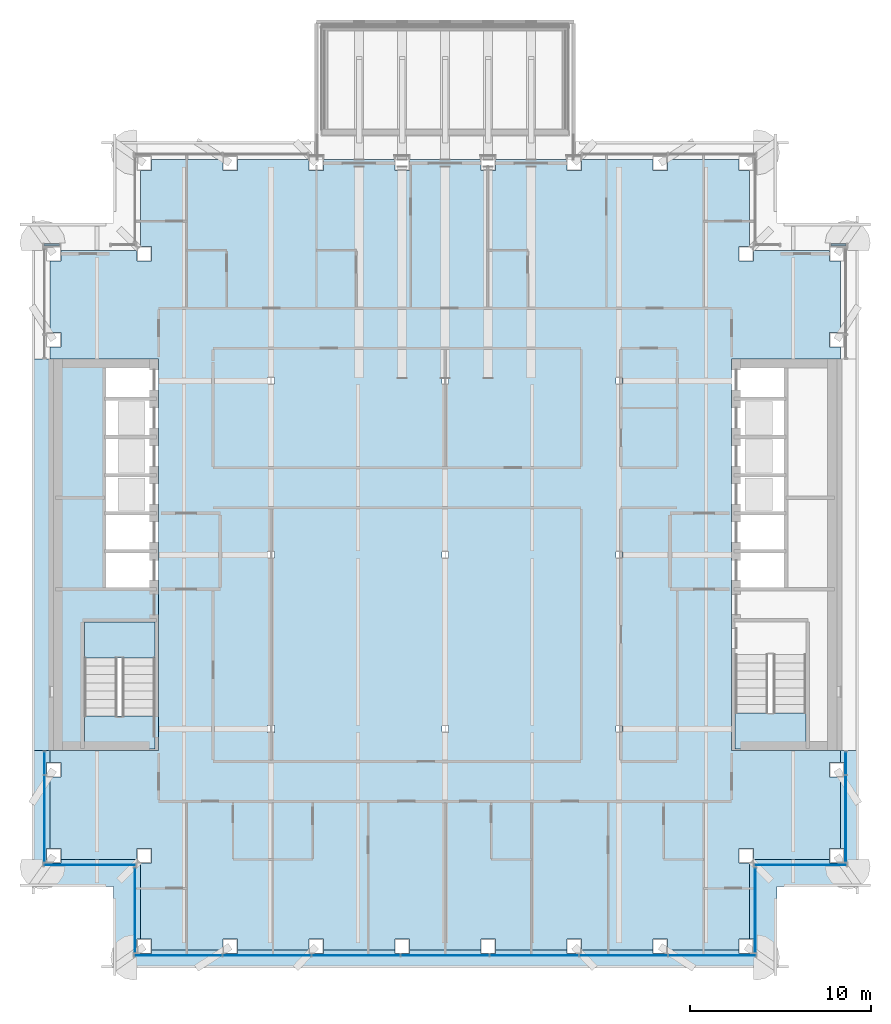
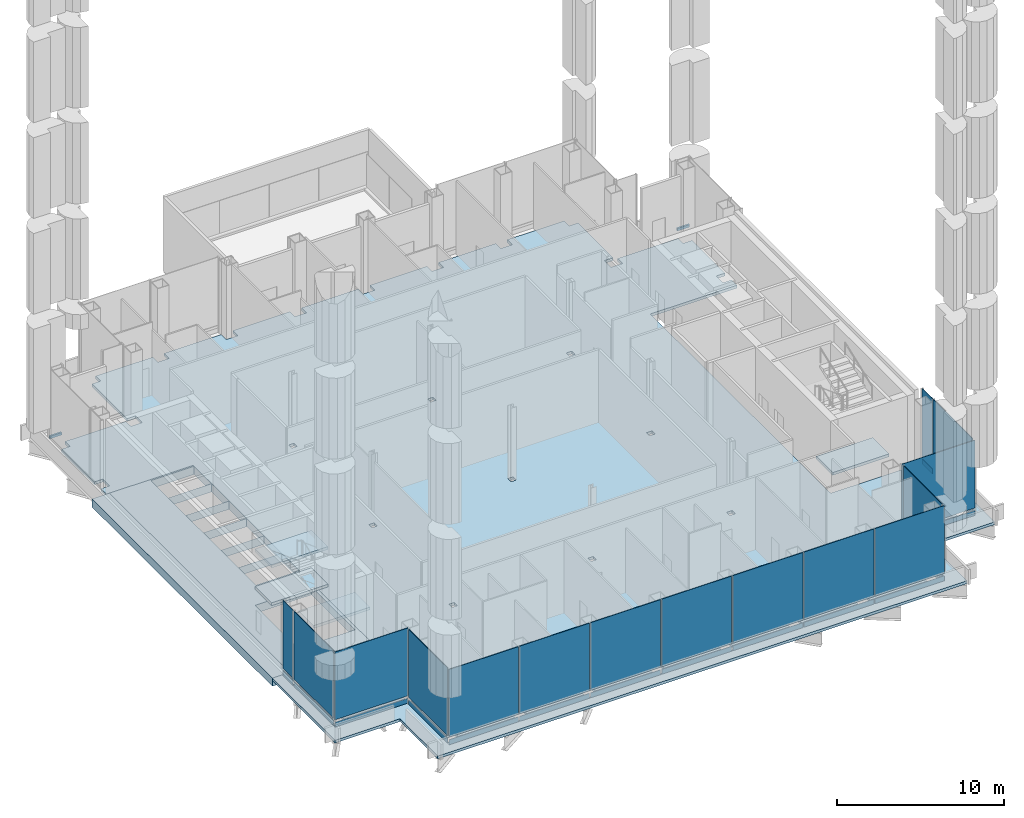
# One storey, part 7 of 22: 30 plates, 8 slabs, 2 members, 11 elements without a shape of their own.
"""IFC4 building model written with IfcOpenShell, lengths in metres."""

from ifc_helpers import new_model, si_unit, direction, frame, origin, origin_2d, place, context, subcontext, project, spatial, polyline, rectangle, outline, extrude, material, layer, layer_set, material_profile, profile_set, type_object, element, aggregate, save


model = new_model("IFC4")

# Units and contexts
model_context = context("Model", 3, precision=1e-05, world=origin(), true_north=direction((0.0, 1.0)))
body_context = subcontext(model_context, "Body", "Model", "MODEL_VIEW")
ifc_project = project(units=[si_unit("LENGTHUNIT", "METRE"), si_unit("AREAUNIT", "SQUARE_METRE"), si_unit("VOLUMEUNIT", "CUBIC_METRE"), si_unit("PLANEANGLEUNIT", "RADIAN"), si_unit("MASSUNIT", "GRAM", prefix="KILO")], contexts=[model_context])

# Site, building, storey
site_placement = place(None, origin())
site = spatial("IfcSite", under=ifc_project, at=site_placement, CompositionType="ELEMENT")
building_placement = place(site_placement, origin())
building = spatial("IfcBuilding", under=site, at=building_placement, Name="Cobrizo Arcos Hotel Tower", CompositionType="ELEMENT")
storey_placement = place(building_placement, frame((0.0, 0.0, 142.5)))
storey = spatial("IfcBuildingStorey", under=building, at=storey_placement, Name="L36", CompositionType="ELEMENT", Elevation=142.5)

# Curtain wall, member
ifc_material_1 = material(Name="Aluminium 6063-T6 anodised bronze", Category="aluminium")
curtain_wall_type = type_object("IfcCurtainWallType", Name="CW-E sky lobby glazing", PredefinedType="NOTDEFINED", material=ifc_material_1)
curtain_wall_1_placement = place(storey_placement, origin())
curtain_wall_1 = element("IfcCurtainWall", 1, at=curtain_wall_1_placement, inside=storey, type_object=curtain_wall_type, Name="CW-E L36 N face", PredefinedType="NOTDEFINED")
ifc_material_profile = material_profile(ifc_material_1, rectangle(XDim=0.1201171875, YDim=0.179931640625, at=origin_2d()), Name="CW-E transom 180x120")
ifc_profile_set = profile_set([ifc_material_profile], Name="Aluminium 6063-T6 anodised bronze")
member_type = type_object("IfcMemberType", Name="CW-E transom 180x120", PredefinedType="USERDEFINED", material=ifc_profile_set)
member_1_placement = place(storey_placement, frame((22.1201171875, 17.10009765625, 0.449951171875), z_axis=(-1.0, 0.0, 0.0), x_axis=(0.0, -1.0, 0.0)))
member_1 = element("IfcMember", 2, at=member_1_placement, type_object=member_type, Name="CW-E transom 1320", ObjectType="TRANSOM", PredefinedType="USERDEFINED", context=body_context, shape_type="SweptSolid", body=[
    extrude(rectangle(XDim=0.1201171875, YDim=0.179931640625, at=origin_2d()), origin(), (0.0, 0.0, 1.0), 0.840087890625),
])
aggregate(curtain_wall_1, [member_1])

curtain_wall_2_placement = place(storey_placement, origin())
curtain_wall_2 = element("IfcCurtainWall", 3, at=curtain_wall_2_placement, inside=storey, type_object=curtain_wall_type, Name="CW-E L36 N face", PredefinedType="NOTDEFINED")
member_2_placement = place(storey_placement, frame((-21.280029296875, 17.10009765625, 0.449951171875), z_axis=(-1.0, 0.0, 0.0), x_axis=(0.0, -1.0, 0.0)))
member_2 = element("IfcMember", 4, at=member_2_placement, type_object=member_type, Name="CW-E transom 1329", ObjectType="TRANSOM", PredefinedType="USERDEFINED", context=body_context, shape_type="SweptSolid", body=[
    extrude(rectangle(XDim=0.1201171875, YDim=0.179931640625, at=origin_2d()), origin(), (0.0, 0.0, 1.0), 0.840087890625),
])
aggregate(curtain_wall_2, [member_2])

# Curtain wall, plates
curtain_wall_3_placement = place(storey_placement, origin())
curtain_wall_3 = element("IfcCurtainWall", 5, at=curtain_wall_3_placement, inside=storey, type_object=curtain_wall_type, Name="CW-E L36 S face", PredefinedType="NOTDEFINED")
ifc_material_2 = material(Name="Glass clear laminated low-e", Category="glass")
ifc_layer_1 = layer(ifc_material_2, 0.050048828125)
ifc_layer_set_1 = layer_set([ifc_layer_1], Name="CW-E glass panel")
plate_type_1 = type_object("IfcPlateType", Name="CW-E glass panel", PredefinedType="CURTAIN_PANEL", material=ifc_layer_set_1)
plate_1_placement = place(storey_placement, frame((-14.722900390625, -22.10009765625, 0.5400390625), z_axis=(0.0, 0.0, 1.0), x_axis=(1.0, 0.0, 0.0)))
plate_1 = element("IfcPlate", 6, at=plate_1_placement, type_object=plate_type_1, Name="CW-E glass panel 1307", PredefinedType="CURTAIN_PANEL", context=body_context, shape_type="SweptSolid", body=[
    extrude(rectangle(XDim=4.794189453125, YDim=0.0400390625, at=origin_2d()), origin(), (0.0, 0.0, 1.0), 4.9599609375),
])
plate_2_placement = place(storey_placement, frame((-9.82861328125, -22.10009765625, 0.5400390625), z_axis=(0.0, 0.0, 1.0), x_axis=(1.0, 0.0, 0.0)))
plate_2 = element("IfcPlate", 7, at=plate_2_placement, type_object=plate_type_1, Name="CW-E glass panel 1308", PredefinedType="CURTAIN_PANEL", context=body_context, shape_type="SweptSolid", body=[
    extrude(rectangle(XDim=4.834228515625, YDim=0.0400390625, at=origin_2d()), origin(), (0.0, 0.0, 1.0), 4.9599609375),
])
plate_3_placement = place(storey_placement, frame((-4.914306640625, -22.10009765625, 0.5400390625), z_axis=(0.0, 0.0, 1.0), x_axis=(1.0, 0.0, 0.0)))
plate_3 = element("IfcPlate", 8, at=plate_3_placement, type_object=plate_type_1, Name="CW-E glass panel 1309", PredefinedType="CURTAIN_PANEL", context=body_context, shape_type="SweptSolid", body=[
    extrude(rectangle(XDim=4.834228515625, YDim=0.0400390625, at=origin_2d()), origin(), (0.0, 0.0, 1.0), 4.9599609375),
])
plate_4_placement = place(storey_placement, frame((0.0, -22.10009765625, 0.5400390625), z_axis=(0.0, 0.0, 1.0), x_axis=(1.0, 0.0, 0.0)))
plate_4 = element("IfcPlate", 9, at=plate_4_placement, type_object=plate_type_1, Name="CW-E glass panel 1310", PredefinedType="CURTAIN_PANEL", context=body_context, shape_type="SweptSolid", body=[
    extrude(rectangle(XDim=4.834228515625, YDim=0.0400390625, at=origin_2d()), origin(), (0.0, 0.0, 1.0), 4.9599609375),
])
plate_5_placement = place(storey_placement, frame((4.914306640625, -22.10009765625, 0.5400390625), z_axis=(0.0, 0.0, 1.0), x_axis=(1.0, 0.0, 0.0)))
plate_5 = element("IfcPlate", 10, at=plate_5_placement, type_object=plate_type_1, Name="CW-E glass panel 1311", PredefinedType="CURTAIN_PANEL", context=body_context, shape_type="SweptSolid", body=[
    extrude(rectangle(XDim=4.834228515625, YDim=0.0400390625, at=origin_2d()), origin(), (0.0, 0.0, 1.0), 4.9599609375),
])
plate_6_placement = place(storey_placement, frame((9.82861328125, -22.10009765625, 0.5400390625), z_axis=(0.0, 0.0, 1.0), x_axis=(1.0, 0.0, 0.0)))
plate_6 = element("IfcPlate", 11, at=plate_6_placement, type_object=plate_type_1, Name="CW-E glass panel 1312", PredefinedType="CURTAIN_PANEL", context=body_context, shape_type="SweptSolid", body=[
    extrude(rectangle(XDim=4.834228515625, YDim=0.0400390625, at=origin_2d()), origin(), (0.0, 0.0, 1.0), 4.9599609375),
])
plate_7_placement = place(storey_placement, frame((14.722900390625, -22.10009765625, 0.5400390625), z_axis=(0.0, 0.0, 1.0), x_axis=(1.0, 0.0, 0.0)))
plate_7 = element("IfcPlate", 12, at=plate_7_placement, type_object=plate_type_1, Name="CW-E glass panel 1313", PredefinedType="CURTAIN_PANEL", context=body_context, shape_type="SweptSolid", body=[
    extrude(rectangle(XDim=4.794189453125, YDim=0.0400390625, at=origin_2d()), origin(), (0.0, 0.0, 1.0), 4.9599609375),
])

# Curtain wall, plate
curtain_wall_4_placement = place(storey_placement, origin())
curtain_wall_4 = element("IfcCurtainWall", 13, at=curtain_wall_4_placement, inside=storey, type_object=curtain_wall_type, Name="CW-E L36 E face", PredefinedType="NOTDEFINED")
plate_8_placement = place(storey_placement, frame((17.10009765625, -19.60009765625, 0.5400390625), z_axis=(0.0, 0.0, 1.0), x_axis=(0.0, 1.0, 0.0)))
plate_8 = element("IfcPlate", 14, at=plate_8_placement, type_object=plate_type_1, Name="CW-E glass panel 1314", PredefinedType="CURTAIN_PANEL", context=body_context, shape_type="SweptSolid", body=[
    extrude(rectangle(XDim=4.639892578125, YDim=0.0400390625, at=origin_2d()), origin(), (0.0, 0.0, 1.0), 4.9599609375),
])

curtain_wall_5_placement = place(storey_placement, origin())
curtain_wall_5 = element("IfcCurtainWall", 15, at=curtain_wall_5_placement, inside=storey, type_object=curtain_wall_type, Name="CW-E L36 S face", PredefinedType="NOTDEFINED")
plate_9_placement = place(storey_placement, frame((19.60009765625, -17.10009765625, 0.5400390625), z_axis=(0.0, 0.0, 1.0), x_axis=(1.0, 0.0, 0.0)))
plate_9 = element("IfcPlate", 16, at=plate_9_placement, type_object=plate_type_1, Name="CW-E glass panel 1315", PredefinedType="CURTAIN_PANEL", context=body_context, shape_type="SweptSolid", body=[
    extrude(rectangle(XDim=5.0400390625, YDim=0.0400390625, at=origin_2d()), origin(), (0.0, 0.0, 1.0), 4.9599609375),
])

# Curtain wall, plates
curtain_wall_6_placement = place(storey_placement, origin())
curtain_wall_6 = element("IfcCurtainWall", 17, at=curtain_wall_6_placement, inside=storey, type_object=curtain_wall_type, Name="CW-E L36 E face", PredefinedType="NOTDEFINED")
plate_10_placement = place(storey_placement, frame((22.10009765625, -14.551513671875, 0.5400390625), z_axis=(0.0, 0.0, 1.0), x_axis=(0.0, 1.0, 0.0)))
plate_10 = element("IfcPlate", 18, at=plate_10_placement, type_object=plate_type_1, Name="CW-E glass panel 1316", PredefinedType="CURTAIN_PANEL", context=body_context, shape_type="SweptSolid", body=[
    extrude(rectangle(XDim=4.737060546875, YDim=0.0400390625, at=origin_2d()), origin(), (0.0, 0.0, 1.0), 4.9599609375),
])
plate_11_placement = place(storey_placement, frame((22.10009765625, -11.491455078125, 0.5400390625), z_axis=(0.0, 0.0, 1.0), x_axis=(0.0, 1.0, 0.0)))
plate_11 = element("IfcPlate", 19, at=plate_11_placement, type_object=plate_type_1, Name="CW-E glass panel 1317", PredefinedType="CURTAIN_PANEL", context=body_context, shape_type="SweptSolid", body=[
    extrude(rectangle(XDim=1.222900390625, YDim=0.0400390625, at=origin_2d()), origin(), (0.0, 0.0, 1.0), 4.9599609375),
])

curtain_wall_7_placement = place(storey_placement, origin())
curtain_wall_7 = element("IfcCurtainWall", 20, at=curtain_wall_7_placement, inside=storey, type_object=curtain_wall_type, Name="CW-E L36 W face", PredefinedType="NOTDEFINED")
plate_12_placement = place(storey_placement, frame((-22.10009765625, -11.491455078125, 0.5400390625), z_axis=(0.0, 0.0, 1.0), x_axis=(0.0, -1.0, 0.0)))
plate_12 = element("IfcPlate", 21, at=plate_12_placement, type_object=plate_type_1, Name="CW-E glass panel 1332", PredefinedType="CURTAIN_PANEL", context=body_context, shape_type="SweptSolid", body=[
    extrude(rectangle(XDim=1.222900390625, YDim=0.0400390625, at=origin_2d()), origin(), (0.0, 0.0, 1.0), 4.9599609375),
])
plate_13_placement = place(storey_placement, frame((-22.10009765625, -14.551513671875, 0.5400390625), z_axis=(0.0, 0.0, 1.0), x_axis=(0.0, -1.0, 0.0)))
plate_13 = element("IfcPlate", 22, at=plate_13_placement, type_object=plate_type_1, Name="CW-E glass panel 1333", PredefinedType="CURTAIN_PANEL", context=body_context, shape_type="SweptSolid", body=[
    extrude(rectangle(XDim=4.737060546875, YDim=0.0400390625, at=origin_2d()), origin(), (0.0, 0.0, 1.0), 4.9599609375),
])

# Curtain wall, plate
curtain_wall_8_placement = place(storey_placement, origin())
curtain_wall_8 = element("IfcCurtainWall", 23, at=curtain_wall_8_placement, inside=storey, type_object=curtain_wall_type, Name="CW-E L36 S face", PredefinedType="NOTDEFINED")
plate_14_placement = place(storey_placement, frame((-19.60009765625, -17.10009765625, 0.5400390625), z_axis=(0.0, 0.0, 1.0), x_axis=(1.0, 0.0, 0.0)))
plate_14 = element("IfcPlate", 24, at=plate_14_placement, type_object=plate_type_1, Name="CW-E glass panel 1334", PredefinedType="CURTAIN_PANEL", context=body_context, shape_type="SweptSolid", body=[
    extrude(rectangle(XDim=5.0400390625, YDim=0.0400390625, at=origin_2d()), origin(), (0.0, 0.0, 1.0), 4.9599609375),
])

curtain_wall_9_placement = place(storey_placement, origin())
curtain_wall_9 = element("IfcCurtainWall", 25, at=curtain_wall_9_placement, inside=storey, type_object=curtain_wall_type, Name="CW-E L36 W face", PredefinedType="NOTDEFINED")
plate_15_placement = place(storey_placement, frame((-17.10009765625, -19.60009765625, 0.5400390625), z_axis=(0.0, 0.0, 1.0), x_axis=(0.0, -1.0, 0.0)))
plate_15 = element("IfcPlate", 26, at=plate_15_placement, type_object=plate_type_1, Name="CW-E glass panel 1335", PredefinedType="CURTAIN_PANEL", context=body_context, shape_type="SweptSolid", body=[
    extrude(rectangle(XDim=4.639892578125, YDim=0.0400390625, at=origin_2d()), origin(), (0.0, 0.0, 1.0), 4.9599609375),
])

# Plate
ifc_material_3 = material(Name="Aluminium composite panel pale metal", Category="aluminium")
ifc_layer_2 = layer(ifc_material_3, 0.0400390625)
ifc_layer_set_2 = layer_set([ifc_layer_2], Name="CW-E spandrel panel")
plate_type_2 = type_object("IfcPlateType", Name="CW-E spandrel panel", PredefinedType="CURTAIN_PANEL", material=ifc_layer_set_2)
plate_16_placement = place(storey_placement, frame((-14.722900390625, -22.10009765625, 0.0), z_axis=(0.0, 0.0, 1.0), x_axis=(1.0, 0.0, 0.0)))
plate_16 = element("IfcPlate", 27, at=plate_16_placement, type_object=plate_type_2, Name="CW-E spandrel panel 1307", PredefinedType="CURTAIN_PANEL", context=body_context, shape_type="SweptSolid", body=[
    extrude(rectangle(XDim=4.794189453125, YDim=0.0400390625, at=origin_2d()), origin(), (0.0, 0.0, 1.0), 0.360107421875),
])

plate_17_placement = place(storey_placement, frame((-9.82861328125, -22.10009765625, 0.0), z_axis=(0.0, 0.0, 1.0), x_axis=(1.0, 0.0, 0.0)))
plate_17 = element("IfcPlate", 28, at=plate_17_placement, type_object=plate_type_2, Name="CW-E spandrel panel 1308", PredefinedType="CURTAIN_PANEL", context=body_context, shape_type="SweptSolid", body=[
    extrude(rectangle(XDim=4.834228515625, YDim=0.0400390625, at=origin_2d()), origin(), (0.0, 0.0, 1.0), 0.360107421875),
])

plate_18_placement = place(storey_placement, frame((-4.914306640625, -22.10009765625, 0.0), z_axis=(0.0, 0.0, 1.0), x_axis=(1.0, 0.0, 0.0)))
plate_18 = element("IfcPlate", 29, at=plate_18_placement, type_object=plate_type_2, Name="CW-E spandrel panel 1309", PredefinedType="CURTAIN_PANEL", context=body_context, shape_type="SweptSolid", body=[
    extrude(rectangle(XDim=4.834228515625, YDim=0.0400390625, at=origin_2d()), origin(), (0.0, 0.0, 1.0), 0.360107421875),
])

plate_19_placement = place(storey_placement, frame((0.0, -22.10009765625, 0.0), z_axis=(0.0, 0.0, 1.0), x_axis=(1.0, 0.0, 0.0)))
plate_19 = element("IfcPlate", 30, at=plate_19_placement, type_object=plate_type_2, Name="CW-E spandrel panel 1310", PredefinedType="CURTAIN_PANEL", context=body_context, shape_type="SweptSolid", body=[
    extrude(rectangle(XDim=4.834228515625, YDim=0.0400390625, at=origin_2d()), origin(), (0.0, 0.0, 1.0), 0.360107421875),
])

plate_20_placement = place(storey_placement, frame((4.914306640625, -22.10009765625, 0.0), z_axis=(0.0, 0.0, 1.0), x_axis=(1.0, 0.0, 0.0)))
plate_20 = element("IfcPlate", 31, at=plate_20_placement, type_object=plate_type_2, Name="CW-E spandrel panel 1311", PredefinedType="CURTAIN_PANEL", context=body_context, shape_type="SweptSolid", body=[
    extrude(rectangle(XDim=4.834228515625, YDim=0.0400390625, at=origin_2d()), origin(), (0.0, 0.0, 1.0), 0.360107421875),
])

plate_21_placement = place(storey_placement, frame((9.82861328125, -22.10009765625, 0.0), z_axis=(0.0, 0.0, 1.0), x_axis=(1.0, 0.0, 0.0)))
plate_21 = element("IfcPlate", 32, at=plate_21_placement, type_object=plate_type_2, Name="CW-E spandrel panel 1312", PredefinedType="CURTAIN_PANEL", context=body_context, shape_type="SweptSolid", body=[
    extrude(rectangle(XDim=4.834228515625, YDim=0.0400390625, at=origin_2d()), origin(), (0.0, 0.0, 1.0), 0.360107421875),
])

plate_22_placement = place(storey_placement, frame((14.722900390625, -22.10009765625, 0.0), z_axis=(0.0, 0.0, 1.0), x_axis=(1.0, 0.0, 0.0)))
plate_22 = element("IfcPlate", 33, at=plate_22_placement, type_object=plate_type_2, Name="CW-E spandrel panel 1313", PredefinedType="CURTAIN_PANEL", context=body_context, shape_type="SweptSolid", body=[
    extrude(rectangle(XDim=4.794189453125, YDim=0.0400390625, at=origin_2d()), origin(), (0.0, 0.0, 1.0), 0.360107421875),
])

aggregate(curtain_wall_3, [plate_16, plate_1, plate_17, plate_2, plate_18, plate_3, plate_19, plate_4, plate_20, plate_5, plate_21, plate_6, plate_22, plate_7])

plate_23_placement = place(storey_placement, frame((17.10009765625, -19.60009765625, 0.0), z_axis=(0.0, 0.0, 1.0), x_axis=(0.0, 1.0, 0.0)))
plate_23 = element("IfcPlate", 34, at=plate_23_placement, type_object=plate_type_2, Name="CW-E spandrel panel 1314", PredefinedType="CURTAIN_PANEL", context=body_context, shape_type="SweptSolid", body=[
    extrude(rectangle(XDim=4.639892578125, YDim=0.0400390625, at=origin_2d()), origin(), (0.0, 0.0, 1.0), 0.360107421875),
])

aggregate(curtain_wall_4, [plate_23, plate_8])

plate_24_placement = place(storey_placement, frame((19.60009765625, -17.10009765625, 0.0), z_axis=(0.0, 0.0, 1.0), x_axis=(1.0, 0.0, 0.0)))
plate_24 = element("IfcPlate", 35, at=plate_24_placement, type_object=plate_type_2, Name="CW-E spandrel panel 1315", PredefinedType="CURTAIN_PANEL", context=body_context, shape_type="SweptSolid", body=[
    extrude(rectangle(XDim=5.0400390625, YDim=0.0400390625, at=origin_2d()), origin(), (0.0, 0.0, 1.0), 0.360107421875),
])

aggregate(curtain_wall_5, [plate_24, plate_9])

plate_25_placement = place(storey_placement, frame((22.10009765625, -14.551513671875, 0.0), z_axis=(0.0, 0.0, 1.0), x_axis=(0.0, 1.0, 0.0)))
plate_25 = element("IfcPlate", 36, at=plate_25_placement, type_object=plate_type_2, Name="CW-E spandrel panel 1316", PredefinedType="CURTAIN_PANEL", context=body_context, shape_type="SweptSolid", body=[
    extrude(rectangle(XDim=4.737060546875, YDim=0.0400390625, at=origin_2d()), origin(), (0.0, 0.0, 1.0), 0.360107421875),
])

plate_26_placement = place(storey_placement, frame((22.10009765625, -11.491455078125, 0.0), z_axis=(0.0, 0.0, 1.0), x_axis=(0.0, 1.0, 0.0)))
plate_26 = element("IfcPlate", 37, at=plate_26_placement, type_object=plate_type_2, Name="CW-E spandrel panel 1317", PredefinedType="CURTAIN_PANEL", context=body_context, shape_type="SweptSolid", body=[
    extrude(rectangle(XDim=1.222900390625, YDim=0.0400390625, at=origin_2d()), origin(), (0.0, 0.0, 1.0), 0.360107421875),
])

aggregate(curtain_wall_6, [plate_25, plate_10, plate_26, plate_11])

plate_27_placement = place(storey_placement, frame((-22.10009765625, -11.491455078125, 0.0), z_axis=(0.0, 0.0, 1.0), x_axis=(0.0, -1.0, 0.0)))
plate_27 = element("IfcPlate", 38, at=plate_27_placement, type_object=plate_type_2, Name="CW-E spandrel panel 1332", PredefinedType="CURTAIN_PANEL", context=body_context, shape_type="SweptSolid", body=[
    extrude(rectangle(XDim=1.222900390625, YDim=0.0400390625, at=origin_2d()), origin(), (0.0, 0.0, 1.0), 0.360107421875),
])

plate_28_placement = place(storey_placement, frame((-22.10009765625, -14.551513671875, 0.0), z_axis=(0.0, 0.0, 1.0), x_axis=(0.0, -1.0, 0.0)))
plate_28 = element("IfcPlate", 39, at=plate_28_placement, type_object=plate_type_2, Name="CW-E spandrel panel 1333", PredefinedType="CURTAIN_PANEL", context=body_context, shape_type="SweptSolid", body=[
    extrude(rectangle(XDim=4.737060546875, YDim=0.0400390625, at=origin_2d()), origin(), (0.0, 0.0, 1.0), 0.360107421875),
])

aggregate(curtain_wall_7, [plate_27, plate_12, plate_28, plate_13])

plate_29_placement = place(storey_placement, frame((-19.60009765625, -17.10009765625, 0.0), z_axis=(0.0, 0.0, 1.0), x_axis=(1.0, 0.0, 0.0)))
plate_29 = element("IfcPlate", 40, at=plate_29_placement, type_object=plate_type_2, Name="CW-E spandrel panel 1334", PredefinedType="CURTAIN_PANEL", context=body_context, shape_type="SweptSolid", body=[
    extrude(rectangle(XDim=5.0400390625, YDim=0.0400390625, at=origin_2d()), origin(), (0.0, 0.0, 1.0), 0.360107421875),
])

aggregate(curtain_wall_8, [plate_29, plate_14])

plate_30_placement = place(storey_placement, frame((-17.10009765625, -19.60009765625, 0.0), z_axis=(0.0, 0.0, 1.0), x_axis=(0.0, -1.0, 0.0)))
plate_30 = element("IfcPlate", 41, at=plate_30_placement, type_object=plate_type_2, Name="CW-E spandrel panel 1335", PredefinedType="CURTAIN_PANEL", context=body_context, shape_type="SweptSolid", body=[
    extrude(rectangle(XDim=4.639892578125, YDim=0.0400390625, at=origin_2d()), origin(), (0.0, 0.0, 1.0), 0.360107421875),
])

aggregate(curtain_wall_9, [plate_30, plate_15])

# Slabs
ifc_material_4 = material(Name="Concrete f'c 35 MPa", Category="concrete")
ifc_layer_3 = layer(ifc_material_4, 0.199951171875)
ifc_layer_set_3 = layer_set([ifc_layer_3], Name="Composite floor slab 200 f'c 35")
slab_type_1 = type_object("IfcSlabType", Name="Composite floor slab 200 f'c 35", PredefinedType="FLOOR", material=ifc_layer_set_3)
slab_1_placement = place(storey_placement, frame((0.0, 0.0, -0.199951171875)))
element("IfcSlab", 42, at=slab_1_placement, inside=storey, type_object=slab_type_1, Name="Floor slab S4, L36, no. 01", PredefinedType="FLOOR", context=body_context, shape_type="SweptSolid", body=[
    extrude(outline(polyline([(-21.800048828125, -12.257080078125), (-21.199951171875, -12.257080078125), (-21.199951171875, -11.45703125), (-21.800048828125, -11.45703125), (-21.800048828125, -10.800048828125), (-21.60009765625, -10.800048828125), (-15.800048828125, -10.800048828125), (-15.800048828125, 10.800048828125), (-21.60009765625, 10.800048828125), (-21.800048828125, 10.800048828125), (-21.800048828125, 11.45703125), (-21.199951171875, 11.45703125), (-21.199951171875, 12.257080078125), (-21.800048828125, 12.257080078125), (-21.800048828125, 16.199951171875), (-21.199951171875, 16.199951171875), (-21.199951171875, 16.800048828125), (-17.0, 16.800048828125), (-17.0, 16.199951171875), (-16.199951171875, 16.199951171875), (-16.199951171875, 17.0), (-16.800048828125, 17.0), (-16.800048828125, 21.199951171875), (-16.199951171875, 21.199951171875), (-16.199951171875, 21.800048828125), (-12.257080078125, 21.800048828125), (-12.257080078125, 21.199951171875), (-11.45703125, 21.199951171875), (-11.45703125, 21.800048828125), (-7.513916015625, 21.800048828125), (-7.513916015625, 21.199951171875), (-6.714111328125, 21.199951171875), (-6.714111328125, 21.800048828125), (-2.77099609375, 21.800048828125), (-2.77099609375, 21.199951171875), (-1.970947265625, 21.199951171875), (-1.970947265625, 21.800048828125), (1.970947265625, 21.800048828125), (1.970947265625, 21.199951171875), (2.77099609375, 21.199951171875), (2.77099609375, 21.800048828125), (6.714111328125, 21.800048828125), (6.714111328125, 21.199951171875), (7.513916015625, 21.199951171875), (7.513916015625, 21.800048828125), (11.45703125, 21.800048828125), (11.45703125, 21.199951171875), (12.257080078125, 21.199951171875), (12.257080078125, 21.800048828125), (16.199951171875, 21.800048828125), (16.199951171875, 21.199951171875), (16.800048828125, 21.199951171875), (16.800048828125, 17.0), (16.199951171875, 17.0), (16.199951171875, 16.199951171875), (17.0, 16.199951171875), (17.0, 16.800048828125), (21.199951171875, 16.800048828125), (21.199951171875, 16.199951171875), (21.800048828125, 16.199951171875), (21.800048828125, 12.257080078125), (21.199951171875, 12.257080078125), (21.199951171875, 11.45703125), (21.800048828125, 11.45703125), (21.800048828125, 10.800048828125), (21.60009765625, 10.800048828125), (15.800048828125, 10.800048828125), (15.800048828125, -10.800048828125), (21.60009765625, -10.800048828125), (21.800048828125, -10.800048828125), (21.800048828125, -11.45703125), (21.199951171875, -11.45703125), (21.199951171875, -12.257080078125), (21.800048828125, -12.257080078125), (21.800048828125, -16.199951171875), (21.199951171875, -16.199951171875), (21.199951171875, -16.800048828125), (17.0, -16.800048828125), (17.0, -16.199951171875), (16.199951171875, -16.199951171875), (16.199951171875, -17.0), (16.800048828125, -17.0), (16.800048828125, -21.199951171875), (16.199951171875, -21.199951171875), (16.199951171875, -21.800048828125), (12.257080078125, -21.800048828125), (12.257080078125, -21.199951171875), (11.45703125, -21.199951171875), (11.45703125, -21.800048828125), (7.513916015625, -21.800048828125), (7.513916015625, -21.199951171875), (6.714111328125, -21.199951171875), (6.714111328125, -21.800048828125), (2.77099609375, -21.800048828125), (2.77099609375, -21.199951171875), (1.970947265625, -21.199951171875), (1.970947265625, -21.800048828125), (-1.970947265625, -21.800048828125), (-1.970947265625, -21.199951171875), (-2.77099609375, -21.199951171875), (-2.77099609375, -21.800048828125), (-6.714111328125, -21.800048828125), (-6.714111328125, -21.199951171875), (-7.513916015625, -21.199951171875), (-7.513916015625, -21.800048828125), (-11.45703125, -21.800048828125), (-11.45703125, -21.199951171875), (-12.257080078125, -21.199951171875), (-12.257080078125, -21.800048828125), (-16.199951171875, -21.800048828125), (-16.199951171875, -21.199951171875), (-16.800048828125, -21.199951171875), (-16.800048828125, -17.0), (-16.199951171875, -17.0), (-16.199951171875, -16.199951171875), (-17.0, -16.199951171875), (-17.0, -16.800048828125), (-21.199951171875, -16.800048828125), (-21.199951171875, -16.199951171875), (-21.800048828125, -16.199951171875), (-21.800048828125, -12.257080078125)]), holes=[polyline([(-9.413330078125, -9.78662109375), (-9.413330078125, -9.413330078125), (-9.78662109375, -9.413330078125), (-9.78662109375, -9.78662109375), (-9.413330078125, -9.78662109375)]), polyline([(-9.78662109375, -0.186767578125), (-9.413330078125, -0.186767578125), (-9.413330078125, 0.186767578125), (-9.78662109375, 0.186767578125), (-9.78662109375, -0.186767578125)]), polyline([(-0.186767578125, -9.78662109375), (0.186767578125, -9.78662109375), (0.186767578125, -9.413330078125), (-0.186767578125, -9.413330078125), (-0.186767578125, -9.78662109375)]), polyline([(9.413330078125, -9.78662109375), (9.78662109375, -9.78662109375), (9.78662109375, -9.413330078125), (9.413330078125, -9.413330078125), (9.413330078125, -9.78662109375)]), polyline([(0.186767578125, -0.186767578125), (0.186767578125, 0.186767578125), (-0.186767578125, 0.186767578125), (-0.186767578125, -0.186767578125), (0.186767578125, -0.186767578125)]), polyline([(9.78662109375, -0.186767578125), (9.78662109375, 0.186767578125), (9.413330078125, 0.186767578125), (9.413330078125, -0.186767578125), (9.78662109375, -0.186767578125)]), polyline([(-9.413330078125, 9.413330078125), (-9.413330078125, 9.78662109375), (-9.78662109375, 9.78662109375), (-9.78662109375, 9.413330078125), (-9.413330078125, 9.413330078125)]), polyline([(-0.186767578125, 9.413330078125), (0.186767578125, 9.413330078125), (0.186767578125, 9.78662109375), (-0.186767578125, 9.78662109375), (-0.186767578125, 9.413330078125)]), polyline([(9.78662109375, 9.413330078125), (9.78662109375, 9.78662109375), (9.413330078125, 9.78662109375), (9.413330078125, 9.413330078125), (9.78662109375, 9.413330078125)])]), origin(), (0.0, 0.0, 1.0), 0.199951171875),
])
ifc_material_5 = material(Name="Concrete f'c 50 MPa", Category="concrete")
ifc_layer_4 = layer(ifc_material_5, 0.60009765625)
ifc_layer_set_4 = layer_set([ifc_layer_4], Name="RC core floor slab 600 f'c 50")
slab_type_2 = type_object("IfcSlabType", Name="RC core floor slab 600 f'c 50", PredefinedType="FLOOR", material=ifc_layer_set_4)
slab_2_placement = place(storey_placement, frame((0.0, 0.0, -0.60009765625)))
element("IfcSlab", 43, at=slab_2_placement, inside=storey, type_object=slab_type_2, Name="Core floor slab CS4, west core, L36", PredefinedType="FLOOR", context=body_context, shape_type="SweptSolid", body=[
    extrude(outline(polyline([(-21.60009765625, 10.800048828125), (-15.800048828125, 10.800048828125), (-15.800048828125, -10.800048828125), (-21.60009765625, -10.800048828125), (-21.60009765625, 10.800048828125)]), holes=[polyline([(-19.89794921875, -3.701904296875), (-19.89794921875, -8.89794921875), (-16.001953125, -8.89794921875), (-16.001953125, -3.701904296875), (-19.89794921875, -3.701904296875)]), polyline([(-18.798095703125, 0.197998046875), (-18.798095703125, -1.89794921875), (-15.802001953125, -1.89794921875), (-15.802001953125, 0.197998046875), (-18.798095703125, 0.197998046875)]), polyline([(-15.802001953125, 2.298095703125), (-18.798095703125, 2.298095703125), (-18.798095703125, 0.201904296875), (-15.802001953125, 0.201904296875), (-15.802001953125, 2.298095703125)]), polyline([(-15.802001953125, 4.39794921875), (-18.798095703125, 4.39794921875), (-18.798095703125, 2.302001953125), (-15.802001953125, 2.302001953125), (-15.802001953125, 4.39794921875)]), polyline([(-18.798095703125, 6.498046875), (-18.798095703125, 4.402099609375), (-15.802001953125, 4.402099609375), (-15.802001953125, 6.498046875), (-18.798095703125, 6.498046875)]), polyline([(-15.802001953125, 8.597900390625), (-18.798095703125, 8.597900390625), (-18.798095703125, 6.501953125), (-15.802001953125, 6.501953125), (-15.802001953125, 8.597900390625)]), polyline([(-15.802001953125, 10.697998046875), (-18.798095703125, 10.697998046875), (-18.798095703125, 8.60205078125), (-15.802001953125, 8.60205078125), (-15.802001953125, 10.697998046875)])]), origin(), (0.0, 0.0, 1.0), 0.60009765625),
])
ifc_layer_5 = layer(ifc_material_5, 0.60009765625)
ifc_layer_set_5 = layer_set([ifc_layer_5], Name="RC core roof slab 600 f'c 50")
slab_type_3 = type_object("IfcSlabType", Name="RC core roof slab 600 f'c 50", PredefinedType="ROOF", material=ifc_layer_set_5)
slab_3_placement = place(storey_placement, frame((0.0, 0.0, -0.60009765625)))
element("IfcSlab", 44, at=slab_3_placement, inside=storey, type_object=slab_type_3, Name="Core roof slab CR3, L36, no. 1", PredefinedType="ROOF", context=body_context, shape_type="SweptSolid", body=[
    extrude(outline(polyline([(-22.800048828125, -10.800048828125), (-22.800048828125, 10.800048828125), (-21.60009765625, 10.800048828125), (-21.60009765625, -10.800048828125), (-22.800048828125, -10.800048828125)])), origin(), (0.0, 0.0, 1.0), 0.60009765625),
])
ifc_layer_6 = layer(ifc_material_4, 0.199951171875)
ifc_layer_set_6 = layer_set([ifc_layer_6], Name="RC roof slab 200 f'c 35")
slab_type_4 = type_object("IfcSlabType", Name="RC roof slab 200 f'c 35", PredefinedType="ROOF", material=ifc_layer_set_6)
slab_4_placement = place(storey_placement, frame((0.0, 0.0, -0.199951171875)))
element("IfcSlab", 45, at=slab_4_placement, inside=storey, type_object=slab_type_4, Name="Roof slab RS4, L36, no. 01", PredefinedType="ROOF", context=body_context, shape_type="SweptSolid", body=[
    extrude(outline(polyline([(-22.800048828125, -10.800048828125), (-21.800048828125, -10.800048828125), (-21.800048828125, -11.45703125), (-22.0, -11.45703125), (-22.0, -12.257080078125), (-21.800048828125, -12.257080078125), (-21.800048828125, -16.199951171875), (-22.0, -16.199951171875), (-22.0, -17.0), (-21.199951171875, -17.0), (-21.199951171875, -16.800048828125), (-17.0, -16.800048828125), (-17.0, -17.0), (-16.800048828125, -17.0), (-16.800048828125, -21.199951171875), (-17.0, -21.199951171875), (-17.0, -22.0), (-16.199951171875, -22.0), (-16.199951171875, -21.800048828125), (-12.257080078125, -21.800048828125), (-12.257080078125, -22.0), (-11.45703125, -22.0), (-11.45703125, -21.800048828125), (-7.513916015625, -21.800048828125), (-7.513916015625, -22.0), (-6.714111328125, -22.0), (-6.714111328125, -21.800048828125), (-2.77099609375, -21.800048828125), (-2.77099609375, -22.0), (-1.970947265625, -22.0), (-1.970947265625, -21.800048828125), (1.970947265625, -21.800048828125), (1.970947265625, -22.0), (2.77099609375, -22.0), (2.77099609375, -21.800048828125), (6.714111328125, -21.800048828125), (6.714111328125, -22.0), (7.513916015625, -22.0), (7.513916015625, -21.800048828125), (11.45703125, -21.800048828125), (11.45703125, -22.0), (12.257080078125, -22.0), (12.257080078125, -21.800048828125), (16.199951171875, -21.800048828125), (16.199951171875, -22.0), (17.0, -22.0), (17.0, -21.199951171875), (16.800048828125, -21.199951171875), (16.800048828125, -17.0), (17.0, -17.0), (17.0, -16.800048828125), (21.199951171875, -16.800048828125), (21.199951171875, -17.0), (22.0, -17.0), (22.0, -16.199951171875), (21.800048828125, -16.199951171875), (21.800048828125, -12.257080078125), (22.0, -12.257080078125), (22.0, -11.45703125), (21.800048828125, -11.45703125), (21.800048828125, -10.800048828125), (22.800048828125, -10.800048828125), (22.800048828125, -18.300048828125), (18.300048828125, -18.300048828125), (18.300048828125, -22.800048828125), (-18.300048828125, -22.800048828125), (-18.300048828125, -18.300048828125), (-22.800048828125, -18.300048828125), (-22.800048828125, -10.800048828125)])), origin(), (0.0, 0.0, 1.0), 0.199951171875),
])

# Stair, slabs
ifc_material_6 = material(Name="Concrete f'c 40 MPa", Category="concrete")
stair_type = type_object("IfcStairType", Name="Exit stair", PredefinedType="HALF_TURN_STAIR", material=ifc_material_6)
stair_1_placement = place(storey_placement, origin())
stair_1 = element("IfcStair", 46, at=stair_1_placement, inside=storey, type_object=stair_type, Name="L36 Exit stair ST-W", PredefinedType="HALF_TURN_STAIR")
ifc_layer_7 = layer(ifc_material_6, 0.199951171875)
ifc_layer_set_7 = layer_set([ifc_layer_7], Name="Stair landing")
slab_type_5 = type_object("IfcSlabType", Name="Stair landing", PredefinedType="LANDING", material=ifc_layer_set_7)
slab_5_placement = place(storey_placement, frame((0.0, 0.0, 1.175048828125)))
slab_5 = element("IfcSlab", 47, at=slab_5_placement, type_object=slab_type_5, Name="ST-W landing 1", PredefinedType="LANDING", context=body_context, shape_type="SweptSolid", body=[
    extrude(outline(polyline([(-16.0, -5.679931640625), (-16.0, -3.699951171875), (-19.89990234375, -3.699951171875), (-19.89990234375, -5.679931640625), (-16.0, -5.679931640625)])), origin(), (0.0, 0.0, 1.0), 0.199951171875),
])
slab_6_placement = place(storey_placement, frame((0.0, 0.0, 2.550048828125)))
slab_6 = element("IfcSlab", 48, at=slab_6_placement, type_object=slab_type_5, Name="ST-W landing 2", PredefinedType="LANDING", context=body_context, shape_type="SweptSolid", body=[
    extrude(outline(polyline([(-16.0, -10.699951171875), (-16.0, -8.89990234375), (-19.89990234375, -8.89990234375), (-19.89990234375, -10.699951171875), (-16.0, -10.699951171875)])), origin(), (0.0, 0.0, 1.0), 0.199951171875),
])
slab_7_placement = place(storey_placement, frame((0.0, 0.0, 3.925048828125)))
slab_7 = element("IfcSlab", 49, at=slab_7_placement, type_object=slab_type_5, Name="ST-W landing 3", PredefinedType="LANDING", context=body_context, shape_type="SweptSolid", body=[
    extrude(outline(polyline([(-16.0, -5.679931640625), (-16.0, -3.699951171875), (-19.89990234375, -3.699951171875), (-19.89990234375, -5.679931640625), (-16.0, -5.679931640625)])), origin(), (0.0, 0.0, 1.0), 0.199951171875),
])
aggregate(stair_1, [slab_5, slab_6, slab_7])

# Stair, slab
stair_2_placement = place(storey_placement, origin())
stair_2 = element("IfcStair", 50, at=stair_2_placement, inside=storey, type_object=stair_type, Name="L36 Exit stair ST-E", PredefinedType="HALF_TURN_STAIR")
slab_8_placement = place(storey_placement, frame((0.0, 0.0, 1.175048828125)))
slab_8 = element("IfcSlab", 51, at=slab_8_placement, type_object=slab_type_5, Name="ST-E landing 1", PredefinedType="LANDING", context=body_context, shape_type="SweptSolid", body=[
    extrude(outline(polyline([(16.0, -8.719970703125), (16.0, -10.699951171875), (19.89990234375, -10.699951171875), (19.89990234375, -8.719970703125), (16.0, -8.719970703125)])), origin(), (0.0, 0.0, 1.0), 0.199951171875),
])
aggregate(stair_2, [slab_8])

save(model, "model.ifc")
